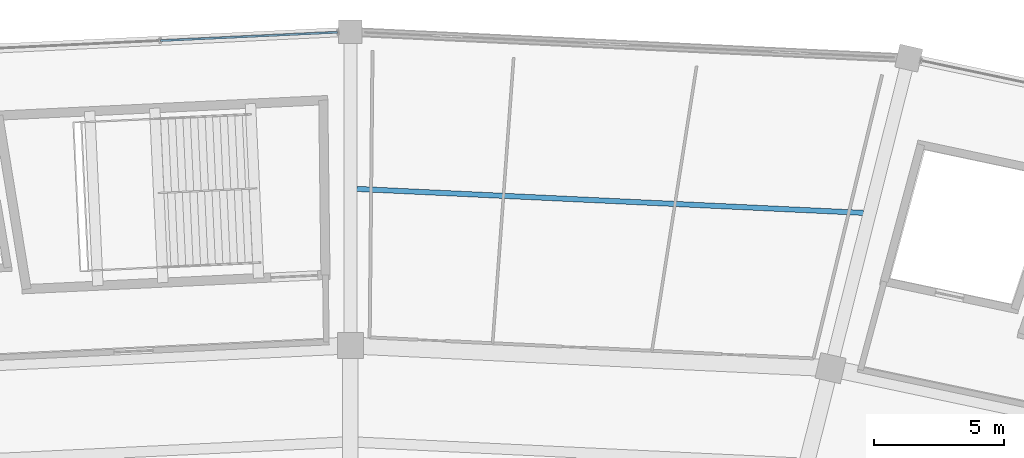
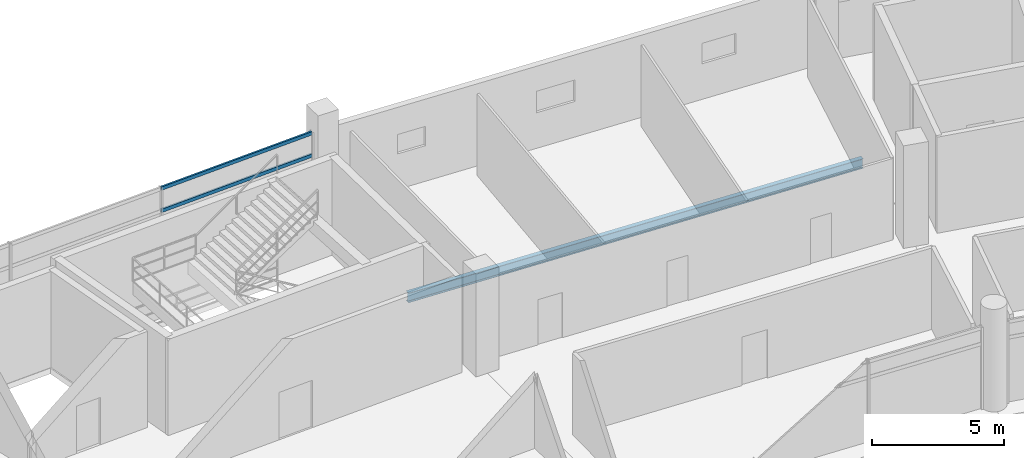
# One storey, part 106 of 171: 2 members, 1 beam, 1 element without a shape of its own.
"""IFC4 building model written with IfcOpenShell, lengths in metres."""

from ifc_helpers import new_model, si_unit, direction, frame, origin, origin_2d, place, context, subcontext, project, spatial, hollow_rectangle, i_section, extrude, material, layer, layer_set, material_profile, profile_set, type_object, element, aggregate, save


model = new_model("IFC4")

# Units and contexts
model_context = context("Model", 3, precision=1e-05, world=origin(), true_north=direction((0.0, 1.0)))
body_context = subcontext(model_context, "Body", "Model", "MODEL_VIEW")
ifc_project = project(units=[si_unit("LENGTHUNIT", "METRE"), si_unit("AREAUNIT", "SQUARE_METRE"), si_unit("VOLUMEUNIT", "CUBIC_METRE"), si_unit("PLANEANGLEUNIT", "RADIAN"), si_unit("MASSUNIT", "GRAM", prefix="KILO")], contexts=[model_context])

# Site, building, storey
site_placement = place(None, origin())
site = spatial("IfcSite", under=ifc_project, at=site_placement, CompositionType="ELEMENT")
building_placement = place(site_placement, origin())
building = spatial("IfcBuilding", under=site, at=building_placement, Name="Kazemori Nagisa Stadium", CompositionType="ELEMENT")
storey_placement = place(building_placement, frame((0.0, 0.0, 15.639892578125)))
storey = spatial("IfcBuildingStorey", under=building, at=storey_placement, Name="L03", CompositionType="ELEMENT", Elevation=15.639892578125)

# Beam
ifc_material_1 = material(Name="Steel SN490B", Category="steel")
ifc_material_profile_1 = material_profile(ifc_material_1, i_section(OverallWidth=0.199951171875, OverallDepth=0.449951171875, WebThickness=0.009033203125, FlangeThickness=0.013916015625, FilletRadius=0.012939453125, at=origin_2d()), Name="H-450x200x9x14")
ifc_profile_set_1 = profile_set([ifc_material_profile_1], Name="Steel SN490B")
beam_type = type_object("IfcBeamType", Name="Beam_BJ-H450", PredefinedType="JOIST", material=ifc_profile_set_1)
beam_placement = place(storey_placement, frame((142.68310546875, 181.04931640625, -0.48486328125), z_axis=(-0.998883835953, 0.047234333614, 0.0), x_axis=(-0.047234333614, -0.998883835953, 0.0)))
element("IfcBeam", 1, at=beam_placement, inside=storey, type_object=beam_type, Name="Outer bay joist BJ-H450 L03 B07", PredefinedType="JOIST", context=body_context, shape_type="SweptSolid", body=[
    extrude(i_section(OverallWidth=0.199951171875, OverallDepth=0.449951171875, WebThickness=0.009033203125, FlangeThickness=0.013916015625, FilletRadius=0.012939453125, at=origin_2d()), origin(), (0.0, 0.0, 1.0), 19.460205078125),
])

# Curtain wall, members
ifc_material_2 = material(Name="Anodised aluminium 6063-T5", Category="aluminium")
ifc_layer = layer(ifc_material_2, 0.2099609375, Name="Anodised aluminium 6063-T5", Category="aluminium")
ifc_layer_set = layer_set([ifc_layer], Name="Anodised aluminium 6063-T5")
curtain_wall_type = type_object("IfcCurtainWallType", Name="CW_L03R3_103", PredefinedType="USERDEFINED", material=ifc_layer_set)
curtain_wall_placement = place(storey_placement, origin())
curtain_wall = element("IfcCurtainWall", 2, at=curtain_wall_placement, inside=storey, type_object=curtain_wall_type, Name="Unitised curtain wall CW-L03R3-103 L03", ObjectType="UNITISED CURTAIN WALL", PredefinedType="USERDEFINED")
ifc_material_3 = material(Name="Aluminium 6063-T5 anodised", Category="aluminium")
ifc_material_profile_2 = material_profile(ifc_material_3, hollow_rectangle(XDim=0.080078125, YDim=0.159912109375, WallThickness=0.00390625, at=origin_2d()), Name="ALU-TRAN-80x160x4")
ifc_profile_set_2 = profile_set([ifc_material_profile_2], Name="Aluminium 6063-T5 anodised")
member_type = type_object("IfcMemberType", Name="Transom_T02", PredefinedType="USERDEFINED", material=ifc_profile_set_2)
member_1_placement = place(storey_placement, frame((122.505615234375, 187.9765625, 2.705322265625), z_axis=(-0.998884581669, -0.047218561007, 0.0), x_axis=(0.047218561007, -0.998884581669, 0.0)))
member_1 = element("IfcMember", 3, at=member_1_placement, type_object=member_type, Name="Curtain wall transom CW-L03R3-103-T1-mid", ObjectType="TRANSOM", PredefinedType="USERDEFINED", context=body_context, shape_type="SweptSolid", body=[
    extrude(hollow_rectangle(XDim=0.080078125, YDim=0.159912109375, WallThickness=0.00390625, at=origin_2d()), origin(), (0.0, 0.0, 1.0), 6.7939453125),
])
member_2_placement = place(storey_placement, frame((122.505615234375, 187.9765625, 3.739990234375), z_axis=(-0.998884581669, -0.047218561007, 0.0), x_axis=(0.047218561007, -0.998884581669, 0.0)))
member_2 = element("IfcMember", 4, at=member_2_placement, type_object=member_type, Name="Curtain wall transom CW-L03R3-103-T1-head", ObjectType="TRANSOM", PredefinedType="USERDEFINED", context=body_context, shape_type="SweptSolid", body=[
    extrude(hollow_rectangle(XDim=0.080078125, YDim=0.159912109375, WallThickness=0.00390625, at=origin_2d()), origin(), (0.0, 0.0, 1.0), 6.7939453125),
])
aggregate(curtain_wall, [member_1, member_2])

save(model, "model.ifc")
